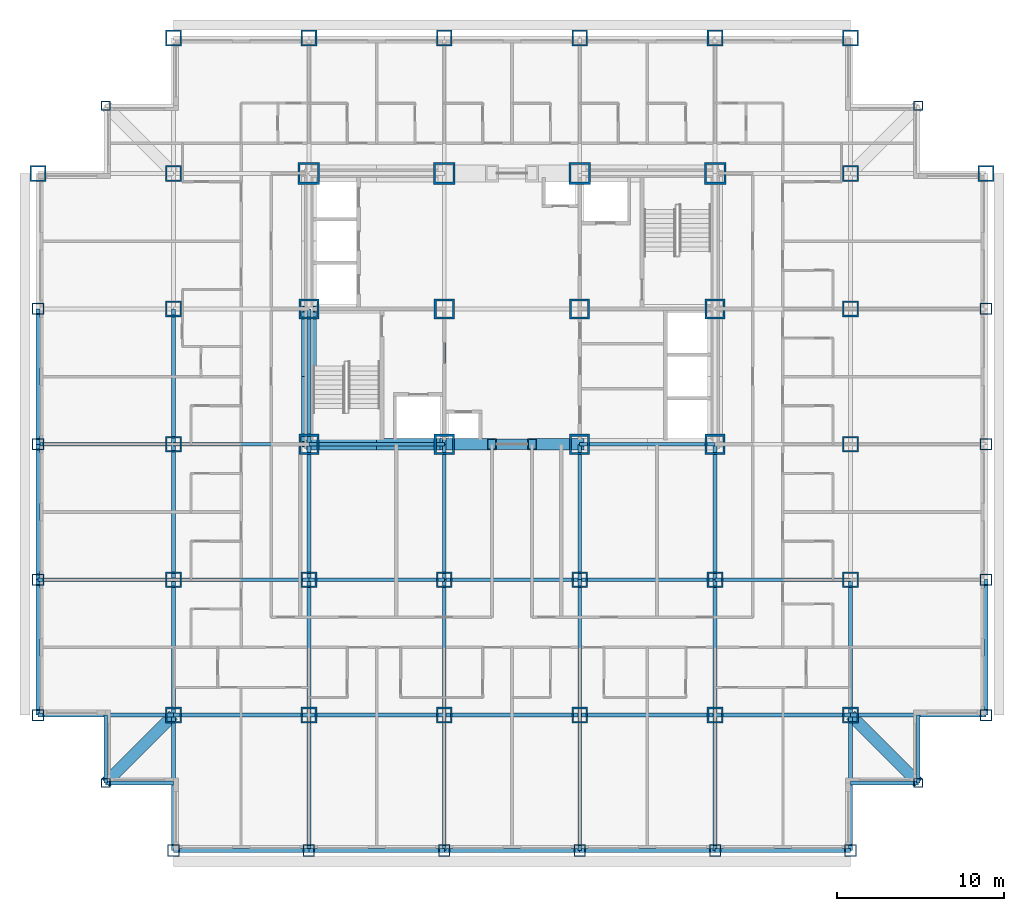
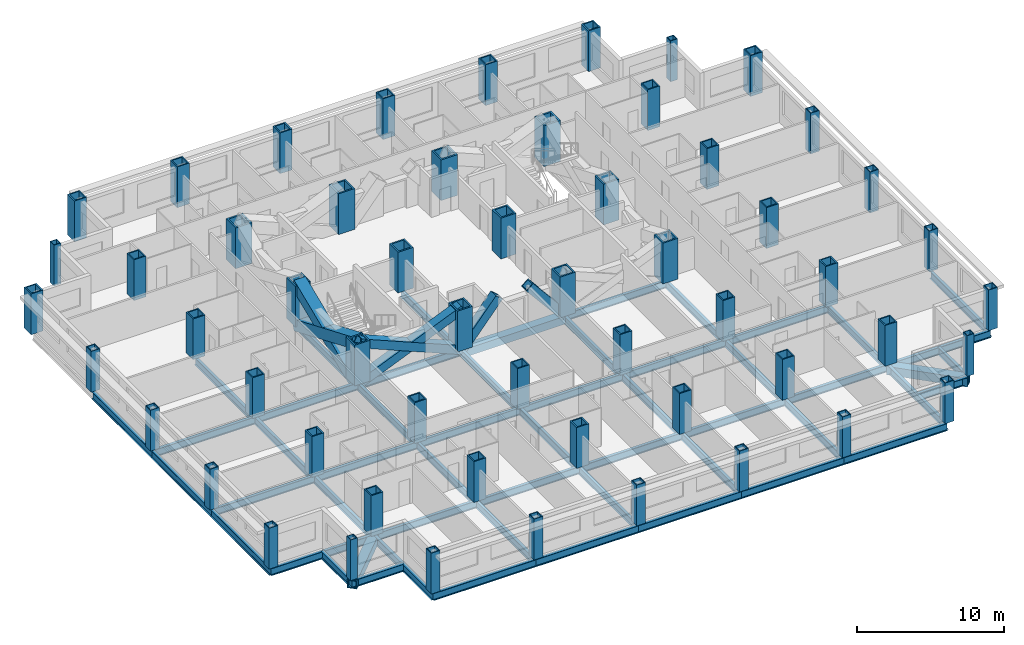
# One storey, part 1 of 11: 56 columns, 53 beams, 6 members.
"""IFC4 building model written with IfcOpenShell, lengths in metres."""

from ifc_helpers import new_model, si_unit, direction, frame, origin, origin_2d, place, context, subcontext, project, spatial, hollow_rectangle, i_section, extrude, material, material_profile, profile_set, type_object, element, save


model = new_model("IFC4")

# Units and contexts
model_context = context("Model", 3, precision=1e-05, world=origin(), true_north=direction((0.0, 1.0)))
body_context = subcontext(model_context, "Body", "Model", "MODEL_VIEW")
ifc_project = project(units=[si_unit("LENGTHUNIT", "METRE"), si_unit("AREAUNIT", "SQUARE_METRE"), si_unit("VOLUMEUNIT", "CUBIC_METRE"), si_unit("PLANEANGLEUNIT", "RADIAN"), si_unit("MASSUNIT", "GRAM", prefix="KILO")], contexts=[model_context])

# Site, building, storey
site_placement = place(None, origin())
site = spatial("IfcSite", under=ifc_project, at=site_placement, CompositionType="ELEMENT")
building_placement = place(site_placement, origin())
building = spatial("IfcBuilding", under=site, at=building_placement, Name="Kopane Lantern Tower", CompositionType="ELEMENT")
storey_placement = place(building_placement, frame((0.0, 0.0, 56.800048828125)))
storey = spatial("IfcBuildingStorey", under=building, at=storey_placement, Name="L13", CompositionType="ELEMENT", Elevation=56.800048828125)

# Columns
ifc_material_1 = material(Name="Steel S355JR", Category="steel")
ifc_material_profile_1 = material_profile(ifc_material_1, hollow_rectangle(XDim=1.199951171875, YDim=1.199951171875, WallThickness=0.1201171875, at=origin_2d()), Name="BOX 1200x1200x120")
ifc_profile_set_1 = profile_set([ifc_material_profile_1], Name="Steel S355JR")
column_type_1 = type_object("IfcColumnType", Name="COLUMN BOX 1200x1200x120", PredefinedType="COLUMN", material=ifc_profile_set_1)
for number, where, z_axis, x_axis, name in (
    (1, (16.199951171875, 24.300048828125, 0.0), (0.0, 0.0, 1.0), (1.0, 0.0, 0.0), "Column 4/E L13"),
    (2, (16.199951171875, 32.39990234375, 0.0), (0.0, 0.0, 1.0), (1.0, 0.0, 0.0), "Column 4/F L13"),
    (3, (24.300048828125, 24.300048828125, 0.0), (0.0, 0.0, 1.0), (1.0, 0.0, 0.0), "Column 5/E L13"),
    (4, (24.300048828125, 32.39990234375, 0.0), (0.0, 0.0, 1.0), (1.0, 0.0, 0.0), "Column 5/F L13"),
    (5, (32.39990234375, 24.300048828125, 0.0), (0.0, 0.0, 1.0), (1.0, 0.0, 0.0), "Column 6/E L13"),
    (6, (32.39990234375, 32.39990234375, 0.0), (0.0, 0.0, 1.0), (1.0, 0.0, 0.0), "Column 6/F L13"),
    (7, (40.5, 24.300048828125, 0.0), (0.0, 0.0, 1.0), (1.0, 0.0, 0.0), "Column 7/E L13"),
    (8, (40.5, 32.39990234375, 0.0), (0.0, 0.0, 1.0), (1.0, 0.0, 0.0), "Column 7/F L13"),
):
    element("IfcColumn", number, at=place(storey_placement, frame(where, z_axis=z_axis, x_axis=x_axis)), inside=storey, type_object=column_type_1, Name=name, PredefinedType="COLUMN", context=body_context, shape_type="SweptSolid", body=[
        extrude(hollow_rectangle(XDim=1.199951171875, YDim=1.199951171875, WallThickness=0.1201171875, at=origin_2d()), origin(), (0.0, 0.0, 1.0), 3.39990234375),
    ])
ifc_material_2 = material(Name="Steel S355JR", Category="steel")
ifc_material_profile_2 = material_profile(ifc_material_2, hollow_rectangle(XDim=1.300048828125, YDim=1.300048828125, WallThickness=0.1298828125, at=origin_2d()), Name="BOX 1300x1300x130")
ifc_profile_set_2 = profile_set([ifc_material_profile_2], Name="Steel S355JR")
column_type_2 = type_object("IfcColumnType", Name="COLUMN BOX 1300x1300x130", PredefinedType="COLUMN", material=ifc_profile_set_2)
for number, where, z_axis, x_axis, name in (
    (9, (16.199951171875, 40.5, 0.0), (0.0, 0.0, 1.0), (1.0, 0.0, 0.0), "Column 4/G L13"),
    (10, (24.300048828125, 40.5, 0.0), (0.0, 0.0, 1.0), (1.0, 0.0, 0.0), "Column 5/G L13"),
    (11, (32.39990234375, 40.5, 0.0), (0.0, 0.0, 1.0), (1.0, 0.0, 0.0), "Column 6/G L13"),
    (12, (40.5, 40.5, 0.0), (0.0, 0.0, 1.0), (1.0, 0.0, 0.0), "Column 7/G L13"),
):
    element("IfcColumn", number, at=place(storey_placement, frame(where, z_axis=z_axis, x_axis=x_axis)), inside=storey, type_object=column_type_2, Name=name, PredefinedType="COLUMN", context=body_context, shape_type="SweptSolid", body=[
        extrude(hollow_rectangle(XDim=1.300048828125, YDim=1.300048828125, WallThickness=0.1298828125, at=origin_2d()), origin(), (0.0, 0.0, 1.0), 3.39990234375),
    ])
ifc_material_3 = material(Name="Steel S355JR", Category="steel")
ifc_material_profile_3 = material_profile(ifc_material_3, hollow_rectangle(XDim=0.550048828125, YDim=0.550048828125, WallThickness=0.050048828125, at=origin_2d()), Name="BOX 550x550x50")
ifc_profile_set_3 = profile_set([ifc_material_profile_3], Name="Steel S355JR")
column_type_3 = type_object("IfcColumnType", Name="COLUMN BOX 550x550x50", PredefinedType="COLUMN", material=ifc_profile_set_3)
for number, where, z_axis, x_axis, name in (
    (13, (4.050048828125, 4.050048828125, 0.0), (0.0, 0.0, 1.0), (1.0, 0.0, 0.0), "Column 4.05/4.05 L13"),
    (14, (4.050048828125, 44.550048828125, 0.0), (0.0, 0.0, 1.0), (1.0, 0.0, 0.0), "Column 4.05/44.55 L13"),
    (15, (52.64990234375, 4.050048828125, 0.0), (0.0, 0.0, 1.0), (1.0, 0.0, 0.0), "Column 52.65/4.05 L13"),
    (16, (52.64990234375, 44.550048828125, 0.0), (0.0, 0.0, 1.0), (1.0, 0.0, 0.0), "Column 52.65/44.55 L13"),
):
    element("IfcColumn", number, at=place(storey_placement, frame(where, z_axis=z_axis, x_axis=x_axis)), inside=storey, type_object=column_type_3, Name=name, PredefinedType="COLUMN", context=body_context, shape_type="SweptSolid", body=[
        extrude(hollow_rectangle(XDim=0.550048828125, YDim=0.550048828125, WallThickness=0.050048828125, at=origin_2d()), origin(), (0.0, 0.0, 1.0), 3.39990234375),
    ])
ifc_material_4 = material(Name="Steel S355JR", Category="steel")
ifc_material_profile_4 = material_profile(ifc_material_4, hollow_rectangle(XDim=0.699951171875, YDim=0.699951171875, WallThickness=0.06005859375, at=origin_2d()), Name="BOX 700x700x60")
ifc_profile_set_4 = profile_set([ifc_material_profile_4], Name="Steel S355JR")
column_type_4 = type_object("IfcColumnType", Name="COLUMN BOX 700x700x60", PredefinedType="COLUMN", material=ifc_profile_set_4)
for number, where, z_axis, x_axis, name in (
    (17, (0.0, 8.10009765625, 0.0), (0.0, 0.0, 1.0), (1.0, 0.0, 0.0), "Column 2/C L13"),
    (18, (0.0, 16.199951171875, 0.0), (0.0, 0.0, 1.0), (1.0, 0.0, 0.0), "Column 2/D L13"),
    (19, (0.0, 24.300048828125, 0.0), (0.0, 0.0, 1.0), (1.0, 0.0, 0.0), "Column 2/E L13"),
    (20, (0.0, 32.39990234375, 0.0), (0.0, 0.0, 1.0), (1.0, 0.0, 0.0), "Column 2/F L13"),
    (21, (8.10009765625, 0.0, 0.0), (0.0, 0.0, 1.0), (1.0, 0.0, 0.0), "Column 3/B L13"),
    (22, (16.199951171875, 0.0, 0.0), (0.0, 0.0, 1.0), (1.0, 0.0, 0.0), "Column 4/B L13"),
    (23, (24.300048828125, 0.0, 0.0), (0.0, 0.0, 1.0), (1.0, 0.0, 0.0), "Column 5/B L13"),
    (24, (32.39990234375, 0.0, 0.0), (0.0, 0.0, 1.0), (1.0, 0.0, 0.0), "Column 6/B L13"),
    (25, (40.5, 0.0, 0.0), (0.0, 0.0, 1.0), (1.0, 0.0, 0.0), "Column 7/B L13"),
    (26, (48.60009765625, 0.0, 0.0), (0.0, 0.0, 1.0), (1.0, 0.0, 0.0), "Column 8/B L13"),
    (27, (56.699951171875, 8.10009765625, 0.0), (0.0, 0.0, 1.0), (1.0, 0.0, 0.0), "Column 9/C L13"),
    (28, (56.699951171875, 16.199951171875, 0.0), (0.0, 0.0, 1.0), (1.0, 0.0, 0.0), "Column 9/D L13"),
    (29, (56.699951171875, 24.300048828125, 0.0), (0.0, 0.0, 1.0), (1.0, 0.0, 0.0), "Column 9/E L13"),
    (30, (56.699951171875, 32.39990234375, 0.0), (0.0, 0.0, 1.0), (1.0, 0.0, 0.0), "Column 9/F L13"),
):
    element("IfcColumn", number, at=place(storey_placement, frame(where, z_axis=z_axis, x_axis=x_axis)), inside=storey, type_object=column_type_4, Name=name, PredefinedType="COLUMN", context=body_context, shape_type="SweptSolid", body=[
        extrude(hollow_rectangle(XDim=0.699951171875, YDim=0.699951171875, WallThickness=0.06005859375, at=origin_2d()), origin(), (0.0, 0.0, 1.0), 3.39990234375),
    ])
ifc_material_5 = material(Name="Steel S355JR", Category="steel")
ifc_material_profile_5 = material_profile(ifc_material_5, hollow_rectangle(XDim=0.949951171875, YDim=0.949951171875, WallThickness=0.094970703125, at=origin_2d()), Name="BOX 950x950x95")
ifc_profile_set_5 = profile_set([ifc_material_profile_5], Name="Steel S355JR")
column_type_5 = type_object("IfcColumnType", Name="COLUMN BOX 950x950x95", PredefinedType="COLUMN", material=ifc_profile_set_5)
for number, where, z_axis, x_axis, name in (
    (31, (0.0, 40.5, 0.0), (0.0, 0.0, 1.0), (1.0, 0.0, 0.0), "Column 2/G L13"),
    (32, (8.10009765625, 8.10009765625, 0.0), (0.0, 0.0, 1.0), (1.0, 0.0, 0.0), "Column 3/C L13"),
    (33, (8.10009765625, 16.199951171875, 0.0), (0.0, 0.0, 1.0), (1.0, 0.0, 0.0), "Column 3/D L13"),
    (34, (8.10009765625, 24.300048828125, 0.0), (0.0, 0.0, 1.0), (1.0, 0.0, 0.0), "Column 3/E L13"),
    (35, (8.10009765625, 32.39990234375, 0.0), (0.0, 0.0, 1.0), (1.0, 0.0, 0.0), "Column 3/F L13"),
    (36, (8.10009765625, 40.5, 0.0), (0.0, 0.0, 1.0), (1.0, 0.0, 0.0), "Column 3/G L13"),
    (37, (8.10009765625, 48.60009765625, 0.0), (0.0, 0.0, 1.0), (1.0, 0.0, 0.0), "Column 3/H L13"),
    (38, (16.199951171875, 8.10009765625, 0.0), (0.0, 0.0, 1.0), (1.0, 0.0, 0.0), "Column 4/C L13"),
    (39, (16.199951171875, 16.199951171875, 0.0), (0.0, 0.0, 1.0), (1.0, 0.0, 0.0), "Column 4/D L13"),
    (40, (16.199951171875, 48.60009765625, 0.0), (0.0, 0.0, 1.0), (1.0, 0.0, 0.0), "Column 4/H L13"),
    (41, (24.300048828125, 8.10009765625, 0.0), (0.0, 0.0, 1.0), (1.0, 0.0, 0.0), "Column 5/C L13"),
    (42, (24.300048828125, 16.199951171875, 0.0), (0.0, 0.0, 1.0), (1.0, 0.0, 0.0), "Column 5/D L13"),
    (43, (24.300048828125, 48.60009765625, 0.0), (0.0, 0.0, 1.0), (1.0, 0.0, 0.0), "Column 5/H L13"),
    (44, (32.39990234375, 8.10009765625, 0.0), (0.0, 0.0, 1.0), (1.0, 0.0, 0.0), "Column 6/C L13"),
    (45, (32.39990234375, 16.199951171875, 0.0), (0.0, 0.0, 1.0), (1.0, 0.0, 0.0), "Column 6/D L13"),
    (46, (32.39990234375, 48.60009765625, 0.0), (0.0, 0.0, 1.0), (1.0, 0.0, 0.0), "Column 6/H L13"),
    (47, (40.5, 8.10009765625, 0.0), (0.0, 0.0, 1.0), (1.0, 0.0, 0.0), "Column 7/C L13"),
    (48, (40.5, 16.199951171875, 0.0), (0.0, 0.0, 1.0), (1.0, 0.0, 0.0), "Column 7/D L13"),
    (49, (40.5, 48.60009765625, 0.0), (0.0, 0.0, 1.0), (1.0, 0.0, 0.0), "Column 7/H L13"),
    (50, (48.60009765625, 8.10009765625, 0.0), (0.0, 0.0, 1.0), (1.0, 0.0, 0.0), "Column 8/C L13"),
    (51, (48.60009765625, 16.199951171875, 0.0), (0.0, 0.0, 1.0), (1.0, 0.0, 0.0), "Column 8/D L13"),
    (52, (48.60009765625, 24.300048828125, 0.0), (0.0, 0.0, 1.0), (1.0, 0.0, 0.0), "Column 8/E L13"),
    (53, (48.60009765625, 32.39990234375, 0.0), (0.0, 0.0, 1.0), (1.0, 0.0, 0.0), "Column 8/F L13"),
    (54, (48.60009765625, 40.5, 0.0), (0.0, 0.0, 1.0), (1.0, 0.0, 0.0), "Column 8/G L13"),
    (55, (48.60009765625, 48.60009765625, 0.0), (0.0, 0.0, 1.0), (1.0, 0.0, 0.0), "Column 8/H L13"),
    (56, (56.699951171875, 40.5, 0.0), (0.0, 0.0, 1.0), (1.0, 0.0, 0.0), "Column 9/G L13"),
):
    element("IfcColumn", number, at=place(storey_placement, frame(where, z_axis=z_axis, x_axis=x_axis)), inside=storey, type_object=column_type_5, Name=name, PredefinedType="COLUMN", context=body_context, shape_type="SweptSolid", body=[
        extrude(hollow_rectangle(XDim=0.949951171875, YDim=0.949951171875, WallThickness=0.094970703125, at=origin_2d()), origin(), (0.0, 0.0, 1.0), 3.39990234375),
    ])

# Members
ifc_material_6 = material(Name="Steel S355JR", Category="steel")
ifc_material_profile_6 = material_profile(ifc_material_6, hollow_rectangle(XDim=0.699951171875, YDim=0.699951171875, WallThickness=0.06005859375, at=origin_2d()), Name="BOX 700x700x60")
ifc_profile_set_6 = profile_set([ifc_material_profile_6], Name="Steel S355JR")
member_type_1 = type_object("IfcMemberType", Name="BRACE BOX 700x700x60", PredefinedType="BRACE", material=ifc_profile_set_6)
for number, where, z_axis, x_axis, name in (
    (57, (16.199951171875, 24.300048828125, -0.2099609375), (0.922069000757, 0.0, 0.387025526088), (0.0, 1.0, 0.0), "Core brace L13"),
    (58, (24.300048828125, 24.300048828125, -0.2099609375), (-0.922069000757, 0.0, 0.387025526088), (0.0, -1.0, 0.0), "Core brace L13"),
):
    element("IfcMember", number, at=place(storey_placement, frame(where, z_axis=z_axis, x_axis=x_axis)), inside=storey, type_object=member_type_1, Name=name, PredefinedType="BRACE", context=body_context, shape_type="SweptSolid", body=[
        extrude(hollow_rectangle(XDim=0.699951171875, YDim=0.699951171875, WallThickness=0.06005859375, at=origin_2d()), origin(), (0.0, 0.0, 1.0), 8.78466796875),
    ])
for number, where, z_axis, x_axis, name in (
    (59, (24.300048828125, 24.300048828125, -0.2099609375), (0.642390257445, 0.0, 0.7663776857), (0.0, 1.0, 0.0), "Core brace L13"),
    (60, (32.39990234375, 24.300048828125, -0.2099609375), (-0.642390257445, 0.0, 0.7663776857), (0.0, -1.0, 0.0), "Core brace L13"),
):
    element("IfcMember", number, at=place(storey_placement, frame(where, z_axis=z_axis, x_axis=x_axis)), inside=storey, type_object=member_type_1, Name=name, PredefinedType="BRACE", context=body_context, shape_type="SweptSolid", body=[
        extrude(hollow_rectangle(XDim=0.699951171875, YDim=0.699951171875, WallThickness=0.06005859375, at=origin_2d()), origin(), (0.0, 0.0, 1.0), 4.436279296875),
    ])
ifc_material_7 = material(Name="Steel S355JR", Category="steel")
ifc_material_profile_7 = material_profile(ifc_material_7, hollow_rectangle(XDim=0.89990234375, YDim=0.89990234375, WallThickness=0.090087890625, at=origin_2d()), Name="BOX 900x900x90")
ifc_profile_set_7 = profile_set([ifc_material_profile_7], Name="Steel S355JR")
member_type_2 = type_object("IfcMemberType", Name="BRACE BOX 900x900x90", PredefinedType="BRACE", material=ifc_profile_set_7)
for number, where, z_axis, x_axis, name in (
    (61, (16.199951171875, 24.300048828125, -0.2099609375), (0.0, 0.922064837731, 0.38703544414), (-1.0, 0.0, 0.0), "Core brace L13"),
    (62, (16.199951171875, 32.39990234375, -0.2099609375), (0.0, -0.922064837731, 0.38703544414), (1.0, 0.0, 0.0), "Core brace L13"),
):
    element("IfcMember", number, at=place(storey_placement, frame(where, z_axis=z_axis, x_axis=x_axis)), inside=storey, type_object=member_type_2, Name=name, PredefinedType="BRACE", context=body_context, shape_type="SweptSolid", body=[
        extrude(hollow_rectangle(XDim=0.89990234375, YDim=0.89990234375, WallThickness=0.090087890625, at=origin_2d()), origin(), (0.0, 0.0, 1.0), 8.784423828125),
    ])

# Beams
ifc_material_8 = material(Name="Steel S355JR", Category="steel")
ifc_material_profile_8 = material_profile(ifc_material_8, i_section(OverallWidth=0.22900390625, OverallDepth=0.6123046875, WebThickness=0.011962890625, FlangeThickness=0.01953125, FilletRadius=0.0126953125, at=origin_2d()), Name="UB 610x229x125")
ifc_profile_set_8 = profile_set([ifc_material_profile_8], Name="Steel S355JR")
beam_type_1 = type_object("IfcBeamType", Name="CORE BEAM UB 610x229x125", PredefinedType="BEAM", material=ifc_profile_set_8)
beam_1_placement = place(storey_placement, frame((24.300048828125, 24.300048828125, -0.51611328125), z_axis=(0.0, 1.0, 0.0), x_axis=(-1.0, 0.0, 0.0)))
element("IfcBeam", 63, at=beam_1_placement, inside=storey, type_object=beam_type_1, Name="Core Beam L13", PredefinedType="BEAM", context=body_context, shape_type="SweptSolid", body=[
    extrude(i_section(OverallWidth=0.22900390625, OverallDepth=0.6123046875, WebThickness=0.011962890625, FlangeThickness=0.01953125, FilletRadius=0.0126953125, at=origin_2d()), origin(), (0.0, 0.0, 1.0), 8.099853515625),
])
ifc_material_9 = material(Name="Steel S355JR", Category="steel")
ifc_material_profile_9 = material_profile(ifc_material_9, hollow_rectangle(XDim=0.699951171875, YDim=0.699951171875, WallThickness=0.06005859375, at=origin_2d()), Name="BOX 700x700x60")
ifc_profile_set_9 = profile_set([ifc_material_profile_9], Name="Steel S355JR")
beam_type_2 = type_object("IfcBeamType", Name="CORNER TIE BEAM BOX 700x700x60", PredefinedType="BEAM", material=ifc_profile_set_9)
for number, where, z_axis, x_axis, name in (
    (64, (4.050048828125, 4.050048828125, -0.56005859375), (0.707106781187, 0.707106781187, 0.0), (-0.707106781187, 0.707106781187, 0.0), "Corner Tie Beam L13"),
    (65, (52.64990234375, 4.050048828125, -0.56005859375), (-0.707085467703, 0.707128094028, 0.0), (-0.707128094028, -0.707085467703, 0.0), "Corner Tie Beam L13"),
):
    element("IfcBeam", number, at=place(storey_placement, frame(where, z_axis=z_axis, x_axis=x_axis)), inside=storey, type_object=beam_type_2, Name=name, PredefinedType="BEAM", context=body_context, shape_type="SweptSolid", body=[
        extrude(hollow_rectangle(XDim=0.699951171875, YDim=0.699951171875, WallThickness=0.06005859375, at=origin_2d()), origin(), (0.0, 0.0, 1.0), 5.7275390625),
    ])
ifc_material_10 = material(Name="Steel S355JR", Category="steel")
ifc_material_profile_10 = material_profile(ifc_material_10, i_section(OverallWidth=0.22900390625, OverallDepth=0.6123046875, WebThickness=0.011962890625, FlangeThickness=0.01953125, FilletRadius=0.0126953125, at=origin_2d()), Name="UB 610x229x125")
ifc_profile_set_10 = profile_set([ifc_material_profile_10], Name="Steel S355JR")
beam_type_3 = type_object("IfcBeamType", Name="EDGE BEAM UB 610x229x125", PredefinedType="BEAM", material=ifc_profile_set_10)
for number, where, z_axis, x_axis, name in (
    (66, (4.050048828125, 4.050048828125, -0.51611328125), (0.0, 1.0, 0.0), (-1.0, 0.0, 0.0), "Edge Beam L13"),
    (67, (4.050048828125, 4.050048828125, -0.51611328125), (1.0, 0.0, 0.0), (0.0, 1.0, 0.0), "Edge Beam L13"),
):
    element("IfcBeam", number, at=place(storey_placement, frame(where, z_axis=z_axis, x_axis=x_axis)), inside=storey, type_object=beam_type_3, Name=name, PredefinedType="BEAM", context=body_context, shape_type="SweptSolid", body=[
        extrude(i_section(OverallWidth=0.22900390625, OverallDepth=0.6123046875, WebThickness=0.011962890625, FlangeThickness=0.01953125, FilletRadius=0.0126953125, at=origin_2d()), origin(), (0.0, 0.0, 1.0), 4.050048828125),
    ])
beam_2_placement = place(storey_placement, frame((52.64990234375, 4.050048828125, -0.51611328125), z_axis=(-1.0, 0.0, 0.0), x_axis=(0.0, -1.0, 0.0)))
element("IfcBeam", 68, at=beam_2_placement, inside=storey, type_object=beam_type_3, Name="Edge Beam L13", PredefinedType="BEAM", context=body_context, shape_type="SweptSolid", body=[
    extrude(i_section(OverallWidth=0.22900390625, OverallDepth=0.6123046875, WebThickness=0.011962890625, FlangeThickness=0.01953125, FilletRadius=0.0126953125, at=origin_2d()), origin(), (0.0, 0.0, 1.0), 4.0498046875),
])
beam_3_placement = place(storey_placement, frame((52.64990234375, 4.050048828125, -0.51611328125), z_axis=(0.0, 1.0, 0.0), x_axis=(-1.0, 0.0, 0.0)))
element("IfcBeam", 69, at=beam_3_placement, inside=storey, type_object=beam_type_3, Name="Edge Beam L13", PredefinedType="BEAM", context=body_context, shape_type="SweptSolid", body=[
    extrude(i_section(OverallWidth=0.22900390625, OverallDepth=0.6123046875, WebThickness=0.011962890625, FlangeThickness=0.01953125, FilletRadius=0.0126953125, at=origin_2d()), origin(), (0.0, 0.0, 1.0), 4.050048828125),
])
ifc_material_11 = material(Name="Steel S355JR", Category="steel")
ifc_material_profile_11 = material_profile(ifc_material_11, i_section(OverallWidth=0.22900390625, OverallDepth=0.6123046875, WebThickness=0.011962890625, FlangeThickness=0.01953125, FilletRadius=0.0126953125, at=origin_2d()), Name="UB 610x229x125")
ifc_profile_set_11 = profile_set([ifc_material_profile_11], Name="Steel S355JR")
beam_type_4 = type_object("IfcBeamType", Name="GIRDER UB 610x229x125", PredefinedType="BEAM", material=ifc_profile_set_11)
beam_4_placement = place(storey_placement, frame((0.0, 8.10009765625, -0.51611328125), z_axis=(0.0, 1.0, 0.0), x_axis=(-1.0, 0.0, 0.0)))
element("IfcBeam", 70, at=beam_4_placement, inside=storey, type_object=beam_type_4, Name="Girder L13", PredefinedType="BEAM", context=body_context, shape_type="SweptSolid", body=[
    extrude(i_section(OverallWidth=0.22900390625, OverallDepth=0.6123046875, WebThickness=0.011962890625, FlangeThickness=0.01953125, FilletRadius=0.0126953125, at=origin_2d()), origin(), (0.0, 0.0, 1.0), 8.099853515625),
])
for number, where, z_axis, x_axis, name in (
    (71, (0.0, 8.10009765625, -0.51611328125), (1.0, 0.0, 0.0), (0.0, 1.0, 0.0), "Girder L13"),
    (72, (0.0, 16.199951171875, -0.51611328125), (0.0, 1.0, 0.0), (-1.0, 0.0, 0.0), "Girder L13"),
    (73, (0.0, 16.199951171875, -0.51611328125), (1.0, 0.0, 0.0), (0.0, 1.0, 0.0), "Girder L13"),
):
    element("IfcBeam", number, at=place(storey_placement, frame(where, z_axis=z_axis, x_axis=x_axis)), inside=storey, type_object=beam_type_4, Name=name, PredefinedType="BEAM", context=body_context, shape_type="SweptSolid", body=[
        extrude(i_section(OverallWidth=0.22900390625, OverallDepth=0.6123046875, WebThickness=0.011962890625, FlangeThickness=0.01953125, FilletRadius=0.0126953125, at=origin_2d()), origin(), (0.0, 0.0, 1.0), 8.10009765625),
    ])
beam_5_placement = place(storey_placement, frame((0.0, 24.300048828125, -0.51611328125), z_axis=(0.0, 1.0, 0.0), x_axis=(-1.0, 0.0, 0.0)))
element("IfcBeam", 74, at=beam_5_placement, inside=storey, type_object=beam_type_4, Name="Girder L13", PredefinedType="BEAM", context=body_context, shape_type="SweptSolid", body=[
    extrude(i_section(OverallWidth=0.22900390625, OverallDepth=0.6123046875, WebThickness=0.011962890625, FlangeThickness=0.01953125, FilletRadius=0.0126953125, at=origin_2d()), origin(), (0.0, 0.0, 1.0), 8.099853515625),
])
for number, where, z_axis, x_axis, name in (
    (75, (0.0, 24.300048828125, -0.51611328125), (1.0, 0.0, 0.0), (0.0, 1.0, 0.0), "Girder L13"),
    (76, (8.10009765625, 0.0, -0.51611328125), (0.0, 1.0, 0.0), (-1.0, 0.0, 0.0), "Girder L13"),
):
    element("IfcBeam", number, at=place(storey_placement, frame(where, z_axis=z_axis, x_axis=x_axis)), inside=storey, type_object=beam_type_4, Name=name, PredefinedType="BEAM", context=body_context, shape_type="SweptSolid", body=[
        extrude(i_section(OverallWidth=0.22900390625, OverallDepth=0.6123046875, WebThickness=0.011962890625, FlangeThickness=0.01953125, FilletRadius=0.0126953125, at=origin_2d()), origin(), (0.0, 0.0, 1.0), 8.10009765625),
    ])
for number, where, z_axis, x_axis, name in (
    (77, (8.10009765625, 0.0, -0.51611328125), (1.0, 0.0, 0.0), (0.0, 1.0, 0.0), "Girder L13"),
    (78, (8.10009765625, 8.10009765625, -0.51611328125), (0.0, 1.0, 0.0), (-1.0, 0.0, 0.0), "Girder L13"),
    (79, (8.10009765625, 8.10009765625, -0.51611328125), (1.0, 0.0, 0.0), (0.0, 1.0, 0.0), "Girder L13"),
):
    element("IfcBeam", number, at=place(storey_placement, frame(where, z_axis=z_axis, x_axis=x_axis)), inside=storey, type_object=beam_type_4, Name=name, PredefinedType="BEAM", context=body_context, shape_type="SweptSolid", body=[
        extrude(i_section(OverallWidth=0.22900390625, OverallDepth=0.6123046875, WebThickness=0.011962890625, FlangeThickness=0.01953125, FilletRadius=0.0126953125, at=origin_2d()), origin(), (0.0, 0.0, 1.0), 8.099853515625),
    ])
beam_6_placement = place(storey_placement, frame((8.10009765625, 16.199951171875, -0.51611328125), z_axis=(0.0, 1.0, 0.0), x_axis=(-1.0, 0.0, 0.0)))
element("IfcBeam", 80, at=beam_6_placement, inside=storey, type_object=beam_type_4, Name="Girder L13", PredefinedType="BEAM", context=body_context, shape_type="SweptSolid", body=[
    extrude(i_section(OverallWidth=0.22900390625, OverallDepth=0.6123046875, WebThickness=0.011962890625, FlangeThickness=0.01953125, FilletRadius=0.0126953125, at=origin_2d()), origin(), (0.0, 0.0, 1.0), 8.10009765625),
])
for number, where, z_axis, x_axis, name in (
    (81, (8.10009765625, 16.199951171875, -0.51611328125), (1.0, 0.0, 0.0), (0.0, 1.0, 0.0), "Girder L13"),
    (82, (8.10009765625, 24.300048828125, -0.51611328125), (0.0, 1.0, 0.0), (-1.0, 0.0, 0.0), "Girder L13"),
    (83, (8.10009765625, 24.300048828125, -0.51611328125), (1.0, 0.0, 0.0), (0.0, 1.0, 0.0), "Girder L13"),
):
    element("IfcBeam", number, at=place(storey_placement, frame(where, z_axis=z_axis, x_axis=x_axis)), inside=storey, type_object=beam_type_4, Name=name, PredefinedType="BEAM", context=body_context, shape_type="SweptSolid", body=[
        extrude(i_section(OverallWidth=0.22900390625, OverallDepth=0.6123046875, WebThickness=0.011962890625, FlangeThickness=0.01953125, FilletRadius=0.0126953125, at=origin_2d()), origin(), (0.0, 0.0, 1.0), 8.099853515625),
    ])
for number, where, z_axis, x_axis, name in (
    (84, (16.199951171875, 0.0, -0.51611328125), (0.0, 1.0, 0.0), (-1.0, 0.0, 0.0), "Girder L13"),
    (85, (16.199951171875, 0.0, -0.51611328125), (1.0, 0.0, 0.0), (0.0, 1.0, 0.0), "Girder L13"),
):
    element("IfcBeam", number, at=place(storey_placement, frame(where, z_axis=z_axis, x_axis=x_axis)), inside=storey, type_object=beam_type_4, Name=name, PredefinedType="BEAM", context=body_context, shape_type="SweptSolid", body=[
        extrude(i_section(OverallWidth=0.22900390625, OverallDepth=0.6123046875, WebThickness=0.011962890625, FlangeThickness=0.01953125, FilletRadius=0.0126953125, at=origin_2d()), origin(), (0.0, 0.0, 1.0), 8.10009765625),
    ])
beam_7_placement = place(storey_placement, frame((16.199951171875, 8.10009765625, -0.51611328125), z_axis=(0.0, 1.0, 0.0), x_axis=(-1.0, 0.0, 0.0)))
element("IfcBeam", 86, at=beam_7_placement, inside=storey, type_object=beam_type_4, Name="Girder L13", PredefinedType="BEAM", context=body_context, shape_type="SweptSolid", body=[
    extrude(i_section(OverallWidth=0.22900390625, OverallDepth=0.6123046875, WebThickness=0.011962890625, FlangeThickness=0.01953125, FilletRadius=0.0126953125, at=origin_2d()), origin(), (0.0, 0.0, 1.0), 8.099853515625),
])
for number, where, z_axis, x_axis, name in (
    (87, (16.199951171875, 8.10009765625, -0.51611328125), (1.0, 0.0, 0.0), (0.0, 1.0, 0.0), "Girder L13"),
    (88, (16.199951171875, 16.199951171875, -0.51611328125), (0.0, 1.0, 0.0), (-1.0, 0.0, 0.0), "Girder L13"),
    (89, (16.199951171875, 16.199951171875, -0.51611328125), (1.0, 0.0, 0.0), (0.0, 1.0, 0.0), "Girder L13"),
):
    element("IfcBeam", number, at=place(storey_placement, frame(where, z_axis=z_axis, x_axis=x_axis)), inside=storey, type_object=beam_type_4, Name=name, PredefinedType="BEAM", context=body_context, shape_type="SweptSolid", body=[
        extrude(i_section(OverallWidth=0.22900390625, OverallDepth=0.6123046875, WebThickness=0.011962890625, FlangeThickness=0.01953125, FilletRadius=0.0126953125, at=origin_2d()), origin(), (0.0, 0.0, 1.0), 8.10009765625),
    ])
beam_8_placement = place(storey_placement, frame((16.199951171875, 24.300048828125, -0.51611328125), z_axis=(0.0, 1.0, 0.0), x_axis=(-1.0, 0.0, 0.0)))
element("IfcBeam", 90, at=beam_8_placement, inside=storey, type_object=beam_type_4, Name="Girder L13", PredefinedType="BEAM", context=body_context, shape_type="SweptSolid", body=[
    extrude(i_section(OverallWidth=0.22900390625, OverallDepth=0.6123046875, WebThickness=0.011962890625, FlangeThickness=0.01953125, FilletRadius=0.0126953125, at=origin_2d()), origin(), (0.0, 0.0, 1.0), 8.099853515625),
])
for number, where, z_axis, x_axis, name in (
    (91, (16.199951171875, 24.300048828125, -0.51611328125), (1.0, 0.0, 0.0), (0.0, 1.0, 0.0), "Girder L13"),
    (92, (24.300048828125, 0.0, -0.51611328125), (0.0, 1.0, 0.0), (-1.0, 0.0, 0.0), "Girder L13"),
):
    element("IfcBeam", number, at=place(storey_placement, frame(where, z_axis=z_axis, x_axis=x_axis)), inside=storey, type_object=beam_type_4, Name=name, PredefinedType="BEAM", context=body_context, shape_type="SweptSolid", body=[
        extrude(i_section(OverallWidth=0.22900390625, OverallDepth=0.6123046875, WebThickness=0.011962890625, FlangeThickness=0.01953125, FilletRadius=0.0126953125, at=origin_2d()), origin(), (0.0, 0.0, 1.0), 8.10009765625),
    ])
for number, where, z_axis, x_axis, name in (
    (93, (24.300048828125, 0.0, -0.51611328125), (1.0, 0.0, 0.0), (0.0, 1.0, 0.0), "Girder L13"),
    (94, (24.300048828125, 8.10009765625, -0.51611328125), (0.0, 1.0, 0.0), (-1.0, 0.0, 0.0), "Girder L13"),
    (95, (24.300048828125, 8.10009765625, -0.51611328125), (1.0, 0.0, 0.0), (0.0, 1.0, 0.0), "Girder L13"),
):
    element("IfcBeam", number, at=place(storey_placement, frame(where, z_axis=z_axis, x_axis=x_axis)), inside=storey, type_object=beam_type_4, Name=name, PredefinedType="BEAM", context=body_context, shape_type="SweptSolid", body=[
        extrude(i_section(OverallWidth=0.22900390625, OverallDepth=0.6123046875, WebThickness=0.011962890625, FlangeThickness=0.01953125, FilletRadius=0.0126953125, at=origin_2d()), origin(), (0.0, 0.0, 1.0), 8.099853515625),
    ])
beam_9_placement = place(storey_placement, frame((24.300048828125, 16.199951171875, -0.51611328125), z_axis=(0.0, 1.0, 0.0), x_axis=(-1.0, 0.0, 0.0)))
element("IfcBeam", 96, at=beam_9_placement, inside=storey, type_object=beam_type_4, Name="Girder L13", PredefinedType="BEAM", context=body_context, shape_type="SweptSolid", body=[
    extrude(i_section(OverallWidth=0.22900390625, OverallDepth=0.6123046875, WebThickness=0.011962890625, FlangeThickness=0.01953125, FilletRadius=0.0126953125, at=origin_2d()), origin(), (0.0, 0.0, 1.0), 8.10009765625),
])
beam_10_placement = place(storey_placement, frame((24.300048828125, 16.199951171875, -0.51611328125), z_axis=(1.0, 0.0, 0.0), x_axis=(0.0, 1.0, 0.0)))
element("IfcBeam", 97, at=beam_10_placement, inside=storey, type_object=beam_type_4, Name="Girder L13", PredefinedType="BEAM", context=body_context, shape_type="SweptSolid", body=[
    extrude(i_section(OverallWidth=0.22900390625, OverallDepth=0.6123046875, WebThickness=0.011962890625, FlangeThickness=0.01953125, FilletRadius=0.0126953125, at=origin_2d()), origin(), (0.0, 0.0, 1.0), 8.099853515625),
])
for number, where, z_axis, x_axis, name in (
    (98, (32.39990234375, 0.0, -0.51611328125), (0.0, 1.0, 0.0), (-1.0, 0.0, 0.0), "Girder L13"),
    (99, (32.39990234375, 0.0, -0.51611328125), (1.0, 0.0, 0.0), (0.0, 1.0, 0.0), "Girder L13"),
):
    element("IfcBeam", number, at=place(storey_placement, frame(where, z_axis=z_axis, x_axis=x_axis)), inside=storey, type_object=beam_type_4, Name=name, PredefinedType="BEAM", context=body_context, shape_type="SweptSolid", body=[
        extrude(i_section(OverallWidth=0.22900390625, OverallDepth=0.6123046875, WebThickness=0.011962890625, FlangeThickness=0.01953125, FilletRadius=0.0126953125, at=origin_2d()), origin(), (0.0, 0.0, 1.0), 8.10009765625),
    ])
beam_11_placement = place(storey_placement, frame((32.39990234375, 8.10009765625, -0.51611328125), z_axis=(0.0, 1.0, 0.0), x_axis=(-1.0, 0.0, 0.0)))
element("IfcBeam", 100, at=beam_11_placement, inside=storey, type_object=beam_type_4, Name="Girder L13", PredefinedType="BEAM", context=body_context, shape_type="SweptSolid", body=[
    extrude(i_section(OverallWidth=0.22900390625, OverallDepth=0.6123046875, WebThickness=0.011962890625, FlangeThickness=0.01953125, FilletRadius=0.0126953125, at=origin_2d()), origin(), (0.0, 0.0, 1.0), 8.099853515625),
])
for number, where, z_axis, x_axis, name in (
    (101, (32.39990234375, 8.10009765625, -0.51611328125), (1.0, 0.0, 0.0), (0.0, 1.0, 0.0), "Girder L13"),
    (102, (32.39990234375, 16.199951171875, -0.51611328125), (0.0, 1.0, 0.0), (-1.0, 0.0, 0.0), "Girder L13"),
    (103, (32.39990234375, 16.199951171875, -0.51611328125), (1.0, 0.0, 0.0), (0.0, 1.0, 0.0), "Girder L13"),
    (104, (32.39990234375, 24.300048828125, -0.51611328125), (1.0, 0.0, 0.0), (0.0, 1.0, 0.0), "Girder L13"),
    (105, (40.5, 0.0, -0.51611328125), (0.0, 1.0, 0.0), (-1.0, 0.0, 0.0), "Girder L13"),
    (106, (40.5, 0.0, -0.51611328125), (1.0, 0.0, 0.0), (0.0, 1.0, 0.0), "Girder L13"),
):
    element("IfcBeam", number, at=place(storey_placement, frame(where, z_axis=z_axis, x_axis=x_axis)), inside=storey, type_object=beam_type_4, Name=name, PredefinedType="BEAM", context=body_context, shape_type="SweptSolid", body=[
        extrude(i_section(OverallWidth=0.22900390625, OverallDepth=0.6123046875, WebThickness=0.011962890625, FlangeThickness=0.01953125, FilletRadius=0.0126953125, at=origin_2d()), origin(), (0.0, 0.0, 1.0), 8.10009765625),
    ])
beam_12_placement = place(storey_placement, frame((40.5, 8.10009765625, -0.51611328125), z_axis=(0.0, 1.0, 0.0), x_axis=(-1.0, 0.0, 0.0)))
element("IfcBeam", 107, at=beam_12_placement, inside=storey, type_object=beam_type_4, Name="Girder L13", PredefinedType="BEAM", context=body_context, shape_type="SweptSolid", body=[
    extrude(i_section(OverallWidth=0.22900390625, OverallDepth=0.6123046875, WebThickness=0.011962890625, FlangeThickness=0.01953125, FilletRadius=0.0126953125, at=origin_2d()), origin(), (0.0, 0.0, 1.0), 8.099853515625),
])
for number, where, z_axis, x_axis, name in (
    (108, (40.5, 8.10009765625, -0.51611328125), (1.0, 0.0, 0.0), (0.0, 1.0, 0.0), "Girder L13"),
    (109, (40.5, 16.199951171875, -0.51611328125), (0.0, 1.0, 0.0), (-1.0, 0.0, 0.0), "Girder L13"),
    (110, (40.5, 16.199951171875, -0.51611328125), (1.0, 0.0, 0.0), (0.0, 1.0, 0.0), "Girder L13"),
    (111, (48.60009765625, 0.0, -0.51611328125), (0.0, 1.0, 0.0), (-1.0, 0.0, 0.0), "Girder L13"),
):
    element("IfcBeam", number, at=place(storey_placement, frame(where, z_axis=z_axis, x_axis=x_axis)), inside=storey, type_object=beam_type_4, Name=name, PredefinedType="BEAM", context=body_context, shape_type="SweptSolid", body=[
        extrude(i_section(OverallWidth=0.22900390625, OverallDepth=0.6123046875, WebThickness=0.011962890625, FlangeThickness=0.01953125, FilletRadius=0.0126953125, at=origin_2d()), origin(), (0.0, 0.0, 1.0), 8.10009765625),
    ])
for number, where, z_axis, x_axis, name in (
    (112, (48.60009765625, 8.10009765625, -0.51611328125), (0.0, 1.0, 0.0), (-1.0, 0.0, 0.0), "Girder L13"),
    (113, (48.60009765625, 8.10009765625, -0.51611328125), (1.0, 0.0, 0.0), (0.0, 1.0, 0.0), "Girder L13"),
    (114, (56.699951171875, 8.10009765625, -0.51611328125), (0.0, 1.0, 0.0), (-1.0, 0.0, 0.0), "Girder L13"),
):
    element("IfcBeam", number, at=place(storey_placement, frame(where, z_axis=z_axis, x_axis=x_axis)), inside=storey, type_object=beam_type_4, Name=name, PredefinedType="BEAM", context=body_context, shape_type="SweptSolid", body=[
        extrude(i_section(OverallWidth=0.22900390625, OverallDepth=0.6123046875, WebThickness=0.011962890625, FlangeThickness=0.01953125, FilletRadius=0.0126953125, at=origin_2d()), origin(), (0.0, 0.0, 1.0), 8.099853515625),
    ])
ifc_material_12 = material(Name="Steel S355JR", Category="steel")
ifc_material_profile_12 = material_profile(ifc_material_12, hollow_rectangle(XDim=0.64990234375, YDim=0.64990234375, WallThickness=0.070068359375, at=origin_2d()), Name="BOX 650x650x70")
ifc_profile_set_12 = profile_set([ifc_material_profile_12], Name="Steel S355JR")
beam_type_5 = type_object("IfcBeamType", Name="LINK BEAM BOX 650x650x70", PredefinedType="BEAM", material=ifc_profile_set_12)
beam_13_placement = place(storey_placement, frame((24.300048828125, 24.300048828125, -0.53515625), z_axis=(1.0, 0.0, 0.0), x_axis=(0.0, 1.0, 0.0)))
element("IfcBeam", 115, at=beam_13_placement, inside=storey, type_object=beam_type_5, Name="Link Beam L13", PredefinedType="BEAM", context=body_context, shape_type="SweptSolid", body=[
    extrude(hollow_rectangle(XDim=0.64990234375, YDim=0.64990234375, WallThickness=0.070068359375, at=origin_2d()), origin(), (0.0, 0.0, 1.0), 8.099853515625),
])

save(model, "model.ifc")
